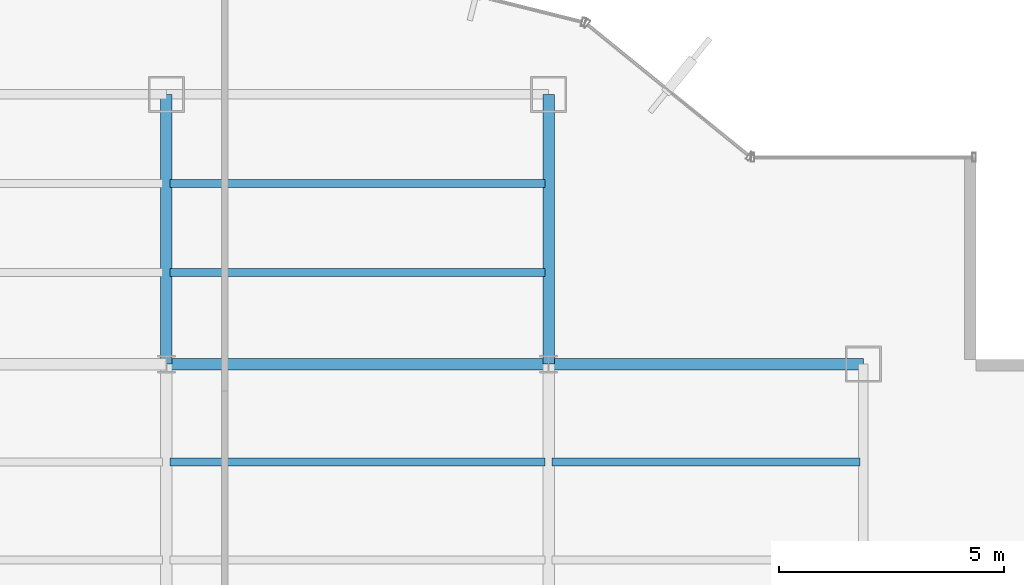
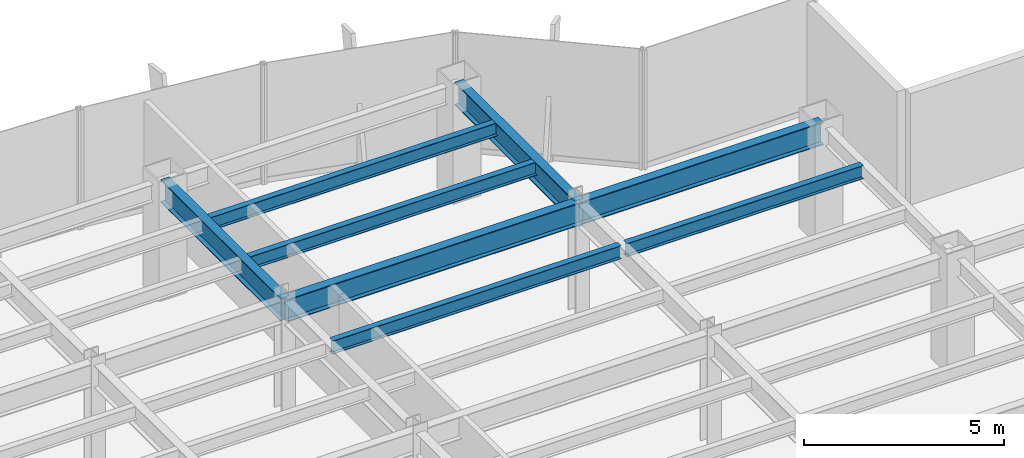
# One storey, part 17 of 26: 8 beams.
"""IFC4 building model written with IfcOpenShell, lengths in metres."""

from ifc_helpers import new_model, si_unit, derived_unit, direction, frame, origin, origin_2d, place, context, subcontext, project, spatial, i_section, extrude, source, transform, mapped, material, material_profile, profile_set, type_object, element, save


model = new_model("IFC4")

# Units and contexts
model_context = context("Model", 3, precision=1e-05, world=origin(), true_north=direction((0.0, 1.0)))
body_context = subcontext(model_context, "Body", "Model", "MODEL_VIEW")
ifc_project = project(units=[si_unit("LENGTHUNIT", "METRE"), si_unit("AREAUNIT", "SQUARE_METRE"), si_unit("VOLUMEUNIT", "CUBIC_METRE"), si_unit("PLANEANGLEUNIT", "RADIAN"), si_unit("MASSUNIT", "GRAM", prefix="KILO"), derived_unit("THERMALTRANSMITTANCEUNIT", [(si_unit("POWERUNIT", "WATT"), 1), (si_unit("LENGTHUNIT", "METRE"), -2), (si_unit("THERMODYNAMICTEMPERATUREUNIT", "KELVIN"), -1)])], contexts=[model_context])

# Site, building, storey
site_placement = place(None, origin())
site = spatial("IfcSite", under=ifc_project, at=site_placement, CompositionType="ELEMENT")
building_placement = place(site_placement, origin())
building = spatial("IfcBuilding", under=site, at=building_placement, Name="Skarnbrae Concourse Arena and Tower", CompositionType="ELEMENT")
storey_placement = place(building_placement, frame((0.0, 0.0, 125.14990234375)))
storey = spatial("IfcBuildingStorey", under=building, at=storey_placement, Name="L31", CompositionType="ELEMENT", Elevation=125.14990234375)

# Beams
ifc_material = material(Name="Steel CSA G40.21 350W", Category="steel")
ifc_material_profile_1 = material_profile(ifc_material, i_section(OverallWidth=0.256103515625, OverallDepth=0.693115234375, WebThickness=0.014404296875, FlangeThickness=0.023681640625, at=origin_2d()), Name="W690X170")
ifc_profile_set_1 = profile_set([ifc_material_profile_1], Name="Steel CSA G40.21 350W")
beam_type_1 = type_object("IfcBeamType", Name="BM-GIRD-W690X170", PredefinedType="BEAM", material=ifc_profile_set_1)
shared_shape_1 = source(origin(), body_context, "Body", "SweptSolid", [
    extrude(i_section(OverallWidth=0.256103515625, OverallDepth=0.693115234375, WebThickness=0.014404296875, FlangeThickness=0.023681640625, at=origin_2d()), origin(), (0.0, 0.0, 1.0), 7.0),
])
beam_1_placement = place(storey_placement, frame((42.0, 34.39990234375, 3.0537109375), z_axis=(1.0, 0.0, 0.0), x_axis=(0.0, 1.0, 0.0)))
element("IfcBeam", 1, at=beam_1_placement, inside=storey, type_object=beam_type_1, Name="L31 Primary E-W girder Y34.4-6", PredefinedType="BEAM", context=body_context, shape_type="MappedRepresentation", body=[
    mapped(shared_shape_1, transform((0.0, 0.0, 0.0))),
])
shared_shape_2 = source(origin(), body_context, "Body", "SweptSolid", [
    extrude(i_section(OverallWidth=0.256103515625, OverallDepth=0.693115234375, WebThickness=0.014404296875, FlangeThickness=0.023681640625, at=origin_2d()), origin(), (0.0, 0.0, 1.0), 8.5),
])
beam_2_placement = place(storey_placement, frame((33.5, 34.39990234375, 3.0537109375), z_axis=(1.0, 0.0, 0.0), x_axis=(0.0, 1.0, 0.0)))
element("IfcBeam", 2, at=beam_2_placement, inside=storey, type_object=beam_type_1, Name="L31 Primary E-W girder Y34.4-5", PredefinedType="BEAM", context=body_context, shape_type="MappedRepresentation", body=[
    mapped(shared_shape_2, transform((0.0, 0.0, 0.0))),
])
shared_shape_3 = source(origin(), body_context, "Body", "SweptSolid", [
    extrude(i_section(OverallWidth=0.256103515625, OverallDepth=0.693115234375, WebThickness=0.014404296875, FlangeThickness=0.023681640625, at=origin_2d()), origin(), (0.0, 0.0, 1.0), 6.0),
])
for number, where, z_axis, x_axis, name in (
    (3, (33.5, 34.39990234375, 3.0537109375), (0.0, 1.0, 0.0), (-1.0, 0.0, 0.0), "L31 Primary N-S girder X33.5-4"),
    (4, (42.0, 34.39990234375, 3.0537109375), (0.0, 1.0, 0.0), (-1.0, 0.0, 0.0), "L31 Primary N-S girder X42.0-5"),
):
    element("IfcBeam", number, at=place(storey_placement, frame(where, z_axis=z_axis, x_axis=x_axis)), inside=storey, type_object=beam_type_1, Name=name, PredefinedType="BEAM", context=body_context, shape_type="MappedRepresentation", body=[
        mapped(shared_shape_3, transform((0.0, 0.0, 0.0))),
    ])
ifc_material_profile_2 = material_profile(ifc_material, i_section(OverallWidth=0.177978515625, OverallDepth=0.406982421875, WebThickness=0.0078125, FlangeThickness=0.0126953125, at=origin_2d()), Name="W410X60")
ifc_profile_set_2 = profile_set([ifc_material_profile_2], Name="Steel CSA G40.21 350W")
beam_type_2 = type_object("IfcBeamType", Name="BM-JOIST-W410X60", PredefinedType="JOIST", material=ifc_profile_set_2)
shared_shape_4 = source(origin(), body_context, "Body", "SweptSolid", [
    extrude(i_section(OverallWidth=0.177978515625, OverallDepth=0.406982421875, WebThickness=0.0078125, FlangeThickness=0.0126953125, at=origin_2d()), origin(), (0.0, 0.0, 1.0), 8.33984375),
])
for number, where, z_axis, x_axis, name in (
    (5, (33.580078125, 32.221923828125, 3.196533203125), (1.0, 0.0, 0.0), (0.0, 1.0, 0.0), "L31 Secondary floor joist 3.2.5"),
    (6, (33.580078125, 36.43994140625, 3.196533203125), (1.0, 0.0, 0.0), (0.0, 1.0, 0.0), "L31 Secondary floor joist 4.1.4"),
    (7, (33.580078125, 38.419921875, 3.196533203125), (1.0, 0.0, 0.0), (0.0, 1.0, 0.0), "L31 Secondary floor joist 4.2.4"),
):
    element("IfcBeam", number, at=place(storey_placement, frame(where, z_axis=z_axis, x_axis=x_axis)), inside=storey, type_object=beam_type_2, Name=name, PredefinedType="JOIST", context=body_context, shape_type="MappedRepresentation", body=[
        mapped(shared_shape_4, transform((0.0, 0.0, 0.0))),
    ])
shared_shape_5 = source(origin(), body_context, "Body", "SweptSolid", [
    extrude(i_section(OverallWidth=0.177978515625, OverallDepth=0.406982421875, WebThickness=0.0078125, FlangeThickness=0.0126953125, at=origin_2d()), origin(), (0.0, 0.0, 1.0), 6.83984375),
])
beam_3_placement = place(storey_placement, frame((42.080078125, 32.221923828125, 3.196533203125), z_axis=(1.0, 0.0, 0.0), x_axis=(0.0, 1.0, 0.0)))
element("IfcBeam", 8, at=beam_3_placement, inside=storey, type_object=beam_type_2, Name="L31 Secondary floor joist 3.2.6", PredefinedType="JOIST", context=body_context, shape_type="MappedRepresentation", body=[
    mapped(shared_shape_5, transform((0.0, 0.0, 0.0))),
])

save(model, "model.ifc")
